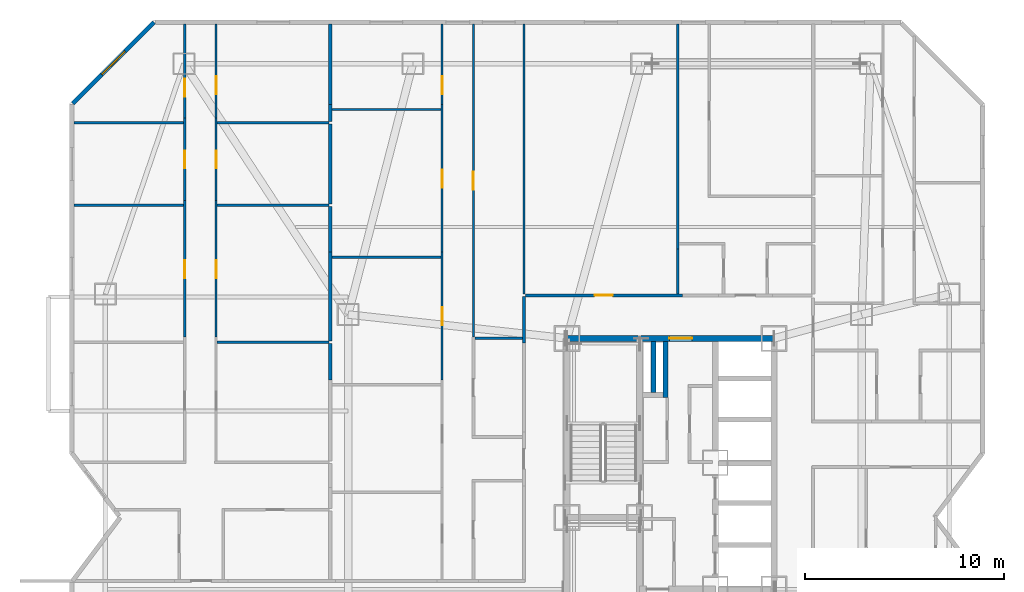
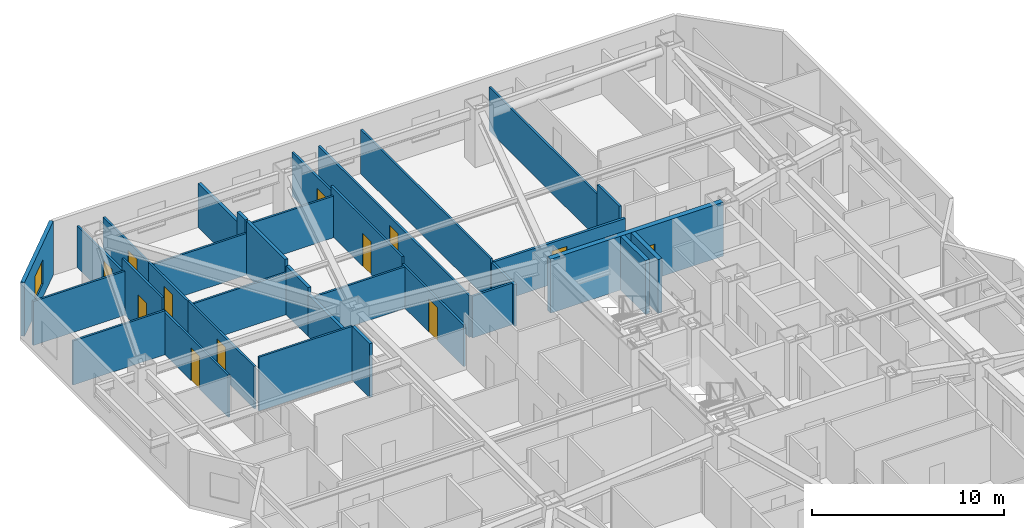
# One storey, part 11 of 14: 33 walls, 12 doors, 1 window, 13 openings.
"""IFC4 building model written with IfcOpenShell, lengths in metres."""

from ifc_helpers import new_model, si_unit, direction, frame, frame_2d, origin, place, context, subcontext, project, spatial, rectangle, extrude, material, layer, layer_set, type_object, element, fill, save


model = new_model("IFC4")

# Units and contexts
model_context = context("Model", 3, precision=1e-05, world=origin(), true_north=direction((0.0, 1.0)))
body_context = subcontext(model_context, "Body", "Model", "MODEL_VIEW")
ifc_project = project(units=[si_unit("LENGTHUNIT", "METRE"), si_unit("AREAUNIT", "SQUARE_METRE"), si_unit("VOLUMEUNIT", "CUBIC_METRE"), si_unit("PLANEANGLEUNIT", "RADIAN"), si_unit("MASSUNIT", "GRAM", prefix="KILO")], contexts=[model_context])

# Site, building, storey
site_placement = place(None, origin())
site = spatial("IfcSite", under=ifc_project, at=site_placement, CompositionType="ELEMENT")
building_placement = place(site_placement, origin())
building = spatial("IfcBuilding", under=site, at=building_placement, Name="Khamvora Tower", CompositionType="ELEMENT")
storey_placement = place(building_placement, frame((0.0, 0.0, 51.550048828125)))
storey = spatial("IfcBuildingStorey", under=building, at=storey_placement, Name="L12", CompositionType="ELEMENT", Elevation=51.550048828125)

# Wall, opening, door
ifc_material_1 = material(Name="Concrete C50/60", Category="concrete")
ifc_layer_1 = layer(ifc_material_1, 0.300048828125)
ifc_layer_set_1 = layer_set([ifc_layer_1], Name="Concrete C50/60")
wall_type_1 = type_object("IfcWallType", Name="WAL-CORE-300", PredefinedType="SHEAR", material=ifc_layer_set_1)
wall_1_placement = place(storey_placement, frame((29.0, 37.0, 0.0), z_axis=(0.0, 0.0, 1.0), x_axis=(1.0, 0.0, 0.0)))
wall_1 = element("IfcWall", 1, at=wall_1_placement, inside=storey, type_object=wall_type_1, Name="L12 central core north wall", PredefinedType="SHEAR", context=body_context, shape_type="SweptSolid", body=[
    extrude(rectangle(XDim=10.39990234375, YDim=0.300048828125, at=frame_2d((5.199951171875, 0.0))), origin(), (0.0, 0.0, 1.0), 3.429931640625),
])
opening_1_placement = place(wall_1_placement, frame((5.139892578125, 0.0, 0.0)))
opening_1 = element("IfcOpeningElement", 2, at=opening_1_placement, cuts=wall_1, Name="Opening D-SC1", PredefinedType="OPENING", context=body_context, shape_type="SweptSolid", body=[
    extrude(rectangle(XDim=1.14990234375, YDim=2.199951171875, at=frame_2d((0.574951171875, 1.10009765625))), frame((0.0, 0.159912109375, 0.0), z_axis=(0.0, -1.0, 0.0), x_axis=(1.0, 0.0, 0.0)), (0.0, 0.0, 1.0), 0.320068359375),
])
ifc_material_2 = material(Name="Powder-Coated Steel and Hardwood Leaf", Category="steel")
door_type_1 = type_object("IfcDoorType", Name="DOR-SCHL-1150", OperationType="NOTDEFINED", PredefinedType="DOOR", material=ifc_material_2)
door_1_placement = place(opening_1_placement, origin())
door_1 = element("IfcDoor", 3, at=door_1_placement, inside=storey, type_object=door_type_1, Name="L12 north core lobby to corridor fire door", OperationType="SINGLE_SWING_LEFT", OverallHeight=2.199951171875, OverallWidth=1.14990234375, PredefinedType="DOOR", context=body_context, shape_type="SweptSolid", body=[
    extrude(rectangle(XDim=1.14990234375, YDim=2.199951171875, at=frame_2d((0.574951171875, 1.10009765625))), frame((0.0, 0.02490234375, 0.0), z_axis=(0.0, -1.0, 0.0), x_axis=(1.0, 0.0, 0.0)), (0.0, 0.0, 1.0), 0.050048828125),
])
fill(opening_1, door_1)

ifc_material_3 = material(Name="Fire-Rated Drywall and Steel Stud", Category="steel")
ifc_layer_2 = layer(ifc_material_3, 0.14990234375)
ifc_layer_set_2 = layer_set([ifc_layer_2], Name="Fire-Rated Drywall and Steel Stud")
wall_type_2 = type_object("IfcWallType", Name="WAL-CORR-150", PredefinedType="STANDARD", material=ifc_layer_set_2)
wall_2_placement = place(storey_placement, frame((26.89990234375, 39.1650390625, 0.0), z_axis=(0.0, 0.0, 1.0), x_axis=(1.0, 0.0, 0.0)))
wall_2 = element("IfcWall", 4, at=wall_2_placement, inside=storey, type_object=wall_type_2, Name="L12 interior partition wall 008", PredefinedType="STANDARD", context=body_context, shape_type="SweptSolid", body=[
    extrude(rectangle(XDim=7.9140625, YDim=0.14990234375, at=frame_2d((3.95703125, 0.0))), origin(), (0.0, 0.0, 1.0), 2.64697265625),
])
opening_2_placement = place(wall_2_placement, frame((3.486083984375, 0.0, 0.0)))
opening_2 = element("IfcOpeningElement", 5, at=opening_2_placement, cuts=wall_2, Name="Opening D-RM1", PredefinedType="OPENING", context=body_context, shape_type="SweptSolid", body=[
    extrude(rectangle(XDim=0.89990234375, YDim=2.10009765625, at=frame_2d((0.449951171875, 1.050048828125))), frame((0.0, 0.0849609375, 0.0), z_axis=(0.0, -1.0, 0.0), x_axis=(1.0, 0.0, 0.0)), (0.0, 0.0, 1.0), 0.169921875),
])
door_type_2 = type_object("IfcDoorType", Name="DOR-ROOM-900", OperationType="NOTDEFINED", PredefinedType="DOOR", material=ifc_material_2)
door_2_placement = place(opening_2_placement, origin())
door_2 = element("IfcDoor", 6, at=door_2_placement, inside=storey, type_object=door_type_2, Name="L12 interior door COR-RPLY", OperationType="SINGLE_SWING_LEFT", OverallHeight=2.10009765625, OverallWidth=0.89990234375, PredefinedType="DOOR", context=body_context, shape_type="SweptSolid", body=[
    extrude(rectangle(XDim=0.89990234375, YDim=2.10009765625, at=frame_2d((0.449951171875, 1.050048828125))), frame((0.0, 0.02490234375, 0.0), z_axis=(0.0, -1.0, 0.0), x_axis=(1.0, 0.0, 0.0)), (0.0, 0.0, 1.0), 0.050048828125),
])
fill(opening_2, door_2)

# Walls
wall_3_placement = place(storey_placement, frame((26.8349609375, 36.757080078125, 0.0), z_axis=(0.0, 0.0, 1.0), x_axis=(0.0, 1.0, 0.0)))
element("IfcWall", 7, at=wall_3_placement, inside=storey, type_object=wall_type_2, Name="L12 interior partition wall 021", PredefinedType="STANDARD", context=body_context, shape_type="SweptSolid", body=[
    extrude(rectangle(XDim=2.343017578125, YDim=0.14990234375, at=frame_2d((1.17138671875, 0.0))), origin(), (0.0, 0.0, 1.0), 2.64697265625),
])
ifc_material_4 = material(Name="Acoustic Double-Stud Fire Wall", Category="gypsum")
ifc_layer_3 = layer(ifc_material_4, 0.179931640625)
ifc_layer_set_3 = layer_set([ifc_layer_3], Name="Acoustic Double-Stud Fire Wall")
wall_type_3 = type_object("IfcWallType", Name="WAL-CORR-180", PredefinedType="STANDARD", material=ifc_layer_set_3)
wall_4_placement = place(storey_placement, frame((17.10498046875, 36.742919921875, 0.0), z_axis=(0.0, 0.0, 1.0), x_axis=(0.0, -1.0, 0.0)))
element("IfcWall", 8, at=wall_4_placement, inside=storey, type_object=wall_type_3, Name="L12 interior partition wall 104", PredefinedType="STANDARD", context=body_context, shape_type="SweptSolid", body=[
    extrude(rectangle(XDim=1.823974609375, YDim=0.179931640625, at=frame_2d((0.912109375, 0.0))), origin(), (0.0, 0.0, 1.0), 3.429931640625),
])
wall_5_placement = place(storey_placement, frame((17.10498046875, 41.3291015625, 0.0), z_axis=(0.0, 0.0, 1.0), x_axis=(0.0, -1.0, 0.0)))
element("IfcWall", 9, at=wall_5_placement, inside=storey, type_object=wall_type_3, Name="L12 interior partition wall 106", PredefinedType="STANDARD", context=body_context, shape_type="SweptSolid", body=[
    extrude(rectangle(XDim=4.4560546875, YDim=0.179931640625, at=frame_2d((2.22802734375, 0.0))), origin(), (0.0, 0.0, 1.0), 2.64697265625),
])
wall_6_placement = place(storey_placement, frame((17.10498046875, 43.6240234375, 0.0), z_axis=(0.0, 0.0, 1.0), x_axis=(0.0, -1.0, 0.0)))
element("IfcWall", 10, at=wall_6_placement, inside=storey, type_object=wall_type_3, Name="L12 interior partition wall 107", PredefinedType="STANDARD", context=body_context, shape_type="SweptSolid", body=[
    extrude(rectangle(XDim=2.294921875, YDim=0.179931640625, at=frame_2d((1.1474609375, 0.0))), origin(), (0.0, 0.0, 1.0), 3.10693359375),
])
wall_7_placement = place(storey_placement, frame((17.10498046875, 47.76806640625, 0.0), z_axis=(0.0, 0.0, 1.0), x_axis=(0.0, -1.0, 0.0)))
element("IfcWall", 11, at=wall_7_placement, inside=storey, type_object=wall_type_3, Name="L12 interior partition wall 109", PredefinedType="STANDARD", context=body_context, shape_type="SweptSolid", body=[
    extrude(rectangle(XDim=4.01416015625, YDim=0.179931640625, at=frame_2d((2.007080078125, 0.0))), origin(), (0.0, 0.0, 1.0), 3.429931640625),
])
wall_8_placement = place(storey_placement, frame((17.10498046875, 48.7490234375, 0.0), z_axis=(0.0, 0.0, 1.0), x_axis=(0.0, -1.0, 0.0)))
element("IfcWall", 12, at=wall_8_placement, inside=storey, type_object=wall_type_3, Name="L12 interior partition wall 110", PredefinedType="STANDARD", context=body_context, shape_type="SweptSolid", body=[
    extrude(rectangle(XDim=0.85107421875, YDim=0.179931640625, at=frame_2d((0.425537109375, 0.0))), origin(), (0.0, 0.0, 1.0), 3.429931640625),
])
wall_9_placement = place(storey_placement, frame((17.10498046875, 52.7880859375, 0.0), z_axis=(0.0, 0.0, 1.0), x_axis=(0.0, -1.0, 0.0)))
element("IfcWall", 13, at=wall_9_placement, inside=storey, type_object=wall_type_3, Name="L12 interior partition wall 111", PredefinedType="STANDARD", context=body_context, shape_type="SweptSolid", body=[
    extrude(rectangle(XDim=4.0390625, YDim=0.179931640625, at=frame_2d((2.01953125, 0.0))), origin(), (0.0, 0.0, 1.0), 2.802978515625),
])

# Wall, opening, window
ifc_material_5 = material(Name="Precast concrete C40/50", Category="concrete")
ifc_layer_4 = layer(ifc_material_5, 0.219970703125)
ifc_layer_set_4 = layer_set([ifc_layer_4], Name="Precast concrete C40/50")
wall_type_4 = type_object("IfcWallType", Name="WAL-EXT-220", PredefinedType="STANDARD", material=ifc_layer_set_4)
wall_10_placement = place(storey_placement, frame((4.157958984375, 48.802001953125, 0.0), z_axis=(0.0, 0.0, 1.0), x_axis=(0.70712789547, 0.707085666273, 0.0)))
wall_10 = element("IfcWall", 14, at=wall_10_placement, inside=storey, type_object=wall_type_4, Name="L12 exterior facade wall 06.1", PredefinedType="STANDARD", context=body_context, shape_type="SweptSolid", body=[
    extrude(rectangle(XDim=5.78125, YDim=0.219970703125, at=frame_2d((2.890625, 0.0))), origin(), (0.0, 0.0, 1.0), 3.429931640625),
])
opening_3_placement = place(wall_10_placement, frame((2.06591796875, 0.0, 0.85009765625)))
opening_3 = element("IfcOpeningElement", 15, at=opening_3_placement, cuts=wall_10, Name="Opening WN-06", PredefinedType="OPENING", context=body_context, shape_type="SweptSolid", body=[
    extrude(rectangle(XDim=1.64990234375, YDim=1.550048828125, at=frame_2d((0.824951171875, 0.77490234375))), frame((0.0, 0.119873046875, 0.0), z_axis=(0.0, -1.0, 0.0), x_axis=(1.0, 0.0, 0.0)), (0.0, 0.0, 1.0), 0.239990234375),
])
ifc_material_6 = material(Name="Low-E Laminated Double Glazing", Category="glass")
window_type = type_object("IfcWindowType", Name="WIN-VIS-1650x1550", PartitioningType="SINGLE_PANEL", PredefinedType="WINDOW", material=ifc_material_6)
window_placement = place(opening_3_placement, origin())
window = element("IfcWindow", 16, at=window_placement, inside=storey, type_object=window_type, Name="L12 vision window 06.1.01", OverallHeight=1.550048828125, OverallWidth=1.64990234375, PartitioningType="SINGLE_PANEL", PredefinedType="WINDOW", context=body_context, shape_type="SweptSolid", body=[
    extrude(rectangle(XDim=1.64990234375, YDim=1.550048828125, at=frame_2d((0.824951171875, 0.77490234375))), frame((0.0, 0.030029296875, 0.0), z_axis=(0.0, -1.0, 0.0), x_axis=(1.0, 0.0, 0.0)), (0.0, 0.0, 1.0), 0.06005859375),
])
fill(opening_3, window)

# Walls
ifc_material_7 = material(Name="Gypsum Plasterboard Partition", Category="gypsum")
ifc_layer_5 = layer(ifc_material_7, 0.1201171875)
ifc_layer_set_5 = layer_set([ifc_layer_5], Name="Gypsum Plasterboard Partition")
wall_type_5 = type_object("IfcWallType", Name="WAL-PART-120", PredefinedType="PARTITIONING", material=ifc_layer_set_5)
wall_11_placement = place(storey_placement, frame((26.8349609375, 39.22998046875, 0.0), z_axis=(0.0, 0.0, 1.0), x_axis=(0.0, 1.0, 0.0)))
element("IfcWall", 17, at=wall_11_placement, inside=storey, type_object=wall_type_5, Name="L12 interior partition wall 045", PredefinedType="PARTITIONING", context=body_context, shape_type="SweptSolid", body=[
    extrude(rectangle(XDim=13.55810546875, YDim=0.1201171875, at=frame_2d((6.779052734375, 0.0))), origin(), (0.0, 0.0, 1.0), 2.802978515625),
])
wall_12_placement = place(storey_placement, frame((34.56494140625, 52.7880859375, 0.0), z_axis=(0.0, 0.0, 1.0), x_axis=(0.0, -1.0, 0.0)))
element("IfcWall", 18, at=wall_12_placement, inside=storey, type_object=wall_type_5, Name="L12 interior partition wall 046", PredefinedType="PARTITIONING", context=body_context, shape_type="SweptSolid", body=[
    extrude(rectangle(XDim=11.283203125, YDim=0.1201171875, at=frame_2d((5.6416015625, 0.0))), origin(), (0.0, 0.0, 1.0), 2.802978515625),
])

# Wall, opening, door
wall_13_placement = place(storey_placement, frame((9.7900390625, 37.05810546875, 0.0), z_axis=(0.0, 0.0, 1.0), x_axis=(0.0, 1.0, 0.0)))
wall_13 = element("IfcWall", 19, at=wall_13_placement, inside=storey, type_object=wall_type_5, Name="L12 interior partition wall 088", PredefinedType="PARTITIONING", context=body_context, shape_type="SweptSolid", body=[
    extrude(rectangle(XDim=6.8798828125, YDim=0.1201171875, at=frame_2d((3.43994140625, 0.0))), origin(), (0.0, 0.0, 1.0), 2.68701171875),
])
opening_4_placement = place(wall_13_placement, frame((2.968994140625, 0.0, 0.0)))
opening_4 = element("IfcOpeningElement", 20, at=opening_4_placement, cuts=wall_13, Name="Opening D-RM1", PredefinedType="OPENING", context=body_context, shape_type="SweptSolid", body=[
    extrude(rectangle(XDim=0.89990234375, YDim=2.10009765625, at=frame_2d((0.449951171875, 1.050048828125))), frame((0.0, 0.070068359375, 0.0), z_axis=(0.0, -1.0, 0.0), x_axis=(1.0, 0.0, 0.0)), (0.0, 0.0, 1.0), 0.14013671875),
])
door_3_placement = place(opening_4_placement, origin())
door_3 = element("IfcDoor", 21, at=door_3_placement, inside=storey, type_object=door_type_2, Name="L12 interior door 12WBH-12WBR2", OperationType="SINGLE_SWING_RIGHT", OverallHeight=2.10009765625, OverallWidth=0.89990234375, PredefinedType="DOOR", context=body_context, shape_type="SweptSolid", body=[
    extrude(rectangle(XDim=0.89990234375, YDim=2.10009765625, at=frame_2d((0.449951171875, 1.050048828125))), frame((0.0, 0.02490234375, 0.0), z_axis=(0.0, -1.0, 0.0), x_axis=(1.0, 0.0, 0.0)), (0.0, 0.0, 1.0), 0.050048828125),
])
fill(opening_4, door_3)

wall_14_placement = place(storey_placement, frame((9.7900390625, 43.93798828125, 0.0), z_axis=(0.0, 0.0, 1.0), x_axis=(0.0, 1.0, 0.0)))
wall_14 = element("IfcWall", 22, at=wall_14_placement, inside=storey, type_object=wall_type_5, Name="L12 interior partition wall 089", PredefinedType="PARTITIONING", context=body_context, shape_type="SweptSolid", body=[
    extrude(rectangle(XDim=4.14501953125, YDim=0.1201171875, at=frame_2d((2.072509765625, 0.0))), origin(), (0.0, 0.0, 1.0), 3.429931640625),
])
opening_5_placement = place(wall_14_placement, frame((1.60107421875, 0.0, 0.0)))
opening_5 = element("IfcOpeningElement", 23, at=opening_5_placement, cuts=wall_14, Name="Opening D-RM1", PredefinedType="OPENING", context=body_context, shape_type="SweptSolid", body=[
    extrude(rectangle(XDim=0.89990234375, YDim=2.10009765625, at=frame_2d((0.449951171875, 1.050048828125))), frame((0.0, 0.070068359375, 0.0), z_axis=(0.0, -1.0, 0.0), x_axis=(1.0, 0.0, 0.0)), (0.0, 0.0, 1.0), 0.14013671875),
])
door_4_placement = place(opening_5_placement, origin())
door_4 = element("IfcDoor", 24, at=door_4_placement, inside=storey, type_object=door_type_2, Name="L12 interior door 12WBH-12WBR3", OperationType="SINGLE_SWING_LEFT", OverallHeight=2.10009765625, OverallWidth=0.89990234375, PredefinedType="DOOR", context=body_context, shape_type="SweptSolid", body=[
    extrude(rectangle(XDim=0.89990234375, YDim=2.10009765625, at=frame_2d((0.449951171875, 1.050048828125))), frame((0.0, 0.02490234375, 0.0), z_axis=(0.0, -1.0, 0.0), x_axis=(1.0, 0.0, 0.0)), (0.0, 0.0, 1.0), 0.050048828125),
])
fill(opening_5, door_4)

wall_15_placement = place(storey_placement, frame((9.7900390625, 48.0830078125, 0.0), z_axis=(0.0, 0.0, 1.0), x_axis=(0.0, 1.0, 0.0)))
wall_15 = element("IfcWall", 25, at=wall_15_placement, inside=storey, type_object=wall_type_5, Name="L12 interior partition wall 090", PredefinedType="PARTITIONING", context=body_context, shape_type="SweptSolid", body=[
    extrude(rectangle(XDim=4.705078125, YDim=0.1201171875, at=frame_2d((2.3525390625, 0.0))), origin(), (0.0, 0.0, 1.0), 2.64697265625),
])
opening_6_placement = place(wall_15_placement, frame((1.054931640625, 0.0, 0.0)))
opening_6 = element("IfcOpeningElement", 26, at=opening_6_placement, cuts=wall_15, Name="Opening D-RM1", PredefinedType="OPENING", context=body_context, shape_type="SweptSolid", body=[
    extrude(rectangle(XDim=0.89990234375, YDim=2.10009765625, at=frame_2d((0.449951171875, 1.050048828125))), frame((0.0, 0.070068359375, 0.0), z_axis=(0.0, -1.0, 0.0), x_axis=(1.0, 0.0, 0.0)), (0.0, 0.0, 1.0), 0.14013671875),
])
door_5_placement = place(opening_6_placement, origin())
door_5 = element("IfcDoor", 27, at=door_5_placement, inside=storey, type_object=door_type_2, Name="L12 interior door 12WBH-12WBR4", OperationType="SINGLE_SWING_LEFT", OverallHeight=2.10009765625, OverallWidth=0.89990234375, PredefinedType="DOOR", context=body_context, shape_type="SweptSolid", body=[
    extrude(rectangle(XDim=0.89990234375, YDim=2.10009765625, at=frame_2d((0.449951171875, 1.050048828125))), frame((0.0, 0.02490234375, 0.0), z_axis=(0.0, -1.0, 0.0), x_axis=(1.0, 0.0, 0.0)), (0.0, 0.0, 1.0), 0.050048828125),
])
fill(opening_6, door_5)

wall_16_placement = place(storey_placement, frame((11.360107421875, 43.93798828125, 0.0), z_axis=(0.0, 0.0, 1.0), x_axis=(0.0, -1.0, 0.0)))
wall_16 = element("IfcWall", 28, at=wall_16_placement, inside=storey, type_object=wall_type_5, Name="L12 interior partition wall 093", PredefinedType="PARTITIONING", context=body_context, shape_type="SweptSolid", body=[
    extrude(rectangle(XDim=6.8798828125, YDim=0.1201171875, at=frame_2d((3.43994140625, 0.0))), origin(), (0.0, 0.0, 1.0), 2.68701171875),
])
opening_7_placement = place(wall_16_placement, frame((3.010986328125, 0.0, 0.0)))
opening_7 = element("IfcOpeningElement", 29, at=opening_7_placement, cuts=wall_16, Name="Opening D-RM1", PredefinedType="OPENING", context=body_context, shape_type="SweptSolid", body=[
    extrude(rectangle(XDim=0.89990234375, YDim=2.10009765625, at=frame_2d((0.449951171875, 1.050048828125))), frame((0.0, 0.070068359375, 0.0), z_axis=(0.0, -1.0, 0.0), x_axis=(1.0, 0.0, 0.0)), (0.0, 0.0, 1.0), 0.14013671875),
])
door_6_placement = place(opening_7_placement, origin())
door_6 = element("IfcDoor", 30, at=door_6_placement, inside=storey, type_object=door_type_2, Name="L12 interior door 12WBH-12WBR6", OperationType="SINGLE_SWING_LEFT", OverallHeight=2.10009765625, OverallWidth=0.89990234375, PredefinedType="DOOR", context=body_context, shape_type="SweptSolid", body=[
    extrude(rectangle(XDim=0.89990234375, YDim=2.10009765625, at=frame_2d((0.449951171875, 1.050048828125))), frame((0.0, 0.02490234375, 0.0), z_axis=(0.0, -1.0, 0.0), x_axis=(1.0, 0.0, 0.0)), (0.0, 0.0, 1.0), 0.050048828125),
])
fill(opening_7, door_6)

wall_17_placement = place(storey_placement, frame((11.360107421875, 48.0830078125, 0.0), z_axis=(0.0, 0.0, 1.0), x_axis=(0.0, -1.0, 0.0)))
wall_17 = element("IfcWall", 31, at=wall_17_placement, inside=storey, type_object=wall_type_5, Name="L12 interior partition wall 094", PredefinedType="PARTITIONING", context=body_context, shape_type="SweptSolid", body=[
    extrude(rectangle(XDim=4.14501953125, YDim=0.1201171875, at=frame_2d((2.072509765625, 0.0))), origin(), (0.0, 0.0, 1.0), 2.64697265625),
])
opening_8_placement = place(wall_17_placement, frame((1.64404296875, 0.0, 0.0)))
opening_8 = element("IfcOpeningElement", 32, at=opening_8_placement, cuts=wall_17, Name="Opening D-RM1", PredefinedType="OPENING", context=body_context, shape_type="SweptSolid", body=[
    extrude(rectangle(XDim=0.89990234375, YDim=2.10009765625, at=frame_2d((0.449951171875, 1.050048828125))), frame((0.0, 0.070068359375, 0.0), z_axis=(0.0, -1.0, 0.0), x_axis=(1.0, 0.0, 0.0)), (0.0, 0.0, 1.0), 0.14013671875),
])
door_7_placement = place(opening_8_placement, origin())
door_7 = element("IfcDoor", 33, at=door_7_placement, inside=storey, type_object=door_type_2, Name="L12 interior door 12WBH-12WBR7", OperationType="SINGLE_SWING_RIGHT", OverallHeight=2.10009765625, OverallWidth=0.89990234375, PredefinedType="DOOR", context=body_context, shape_type="SweptSolid", body=[
    extrude(rectangle(XDim=0.89990234375, YDim=2.10009765625, at=frame_2d((0.449951171875, 1.050048828125))), frame((0.0, 0.02490234375, 0.0), z_axis=(0.0, -1.0, 0.0), x_axis=(1.0, 0.0, 0.0)), (0.0, 0.0, 1.0), 0.050048828125),
])
fill(opening_8, door_7)

wall_18_placement = place(storey_placement, frame((11.360107421875, 52.7880859375, 0.0), z_axis=(0.0, 0.0, 1.0), x_axis=(0.0, -1.0, 0.0)))
wall_18 = element("IfcWall", 34, at=wall_18_placement, inside=storey, type_object=wall_type_5, Name="L12 interior partition wall 095", PredefinedType="PARTITIONING", context=body_context, shape_type="SweptSolid", body=[
    extrude(rectangle(XDim=4.705078125, YDim=0.1201171875, at=frame_2d((2.3525390625, 0.0))), origin(), (0.0, 0.0, 1.0), 2.64697265625),
])
opening_9_placement = place(wall_18_placement, frame((2.60888671875, 0.0, 0.0)))
opening_9 = element("IfcOpeningElement", 35, at=opening_9_placement, cuts=wall_18, Name="Opening D-RM1", PredefinedType="OPENING", context=body_context, shape_type="SweptSolid", body=[
    extrude(rectangle(XDim=0.89990234375, YDim=2.10009765625, at=frame_2d((0.449951171875, 1.050048828125))), frame((0.0, 0.070068359375, 0.0), z_axis=(0.0, -1.0, 0.0), x_axis=(1.0, 0.0, 0.0)), (0.0, 0.0, 1.0), 0.14013671875),
])
door_8_placement = place(opening_9_placement, origin())
door_8 = element("IfcDoor", 36, at=door_8_placement, inside=storey, type_object=door_type_2, Name="L12 interior door 12WBH-12WBR8", OperationType="SINGLE_SWING_LEFT", OverallHeight=2.10009765625, OverallWidth=0.89990234375, PredefinedType="DOOR", context=body_context, shape_type="SweptSolid", body=[
    extrude(rectangle(XDim=0.89990234375, YDim=2.10009765625, at=frame_2d((0.449951171875, 1.050048828125))), frame((0.0, 0.02490234375, 0.0), z_axis=(0.0, -1.0, 0.0), x_axis=(1.0, 0.0, 0.0)), (0.0, 0.0, 1.0), 0.050048828125),
])
fill(opening_9, door_8)

# Walls
for number, where, z_axis, x_axis, name in (
    (37, (4.2119140625, 43.68896484375, 0.0), (0.0, 0.0, 1.0), (1.0, 0.0, 0.0), "L12 interior partition wall 100"),
    (38, (4.2119140625, 47.8330078125, 0.0), (0.0, 0.0, 1.0), (1.0, 0.0, 0.0), "L12 interior partition wall 101"),
):
    element("IfcWall", number, at=place(storey_placement, frame(where, z_axis=z_axis, x_axis=x_axis)), inside=storey, type_object=wall_type_5, Name=name, PredefinedType="PARTITIONING", context=body_context, shape_type="SweptSolid", body=[
        extrude(rectangle(XDim=5.524169921875, YDim=0.1201171875, at=frame_2d((2.76220703125, 0.0))), origin(), (0.0, 0.0, 1.0), 2.802978515625),
    ])
wall_19_placement = place(storey_placement, frame((11.4140625, 36.80810546875, 0.0), z_axis=(0.0, 0.0, 1.0), x_axis=(1.0, 0.0, 0.0)))
element("IfcWall", 39, at=wall_19_placement, inside=storey, type_object=wall_type_5, Name="L12 interior partition wall 102", PredefinedType="PARTITIONING", context=body_context, shape_type="SweptSolid", body=[
    extrude(rectangle(XDim=5.6259765625, YDim=0.1201171875, at=frame_2d((2.81298828125, 0.0))), origin(), (0.0, 0.0, 1.0), 3.429931640625),
])
for number, where, z_axis, x_axis, name in (
    (40, (11.4140625, 43.68896484375, 0.0), (0.0, 0.0, 1.0), (1.0, 0.0, 0.0), "L12 interior partition wall 105"),
    (41, (11.4140625, 47.8330078125, 0.0), (0.0, 0.0, 1.0), (1.0, 0.0, 0.0), "L12 interior partition wall 108"),
):
    element("IfcWall", number, at=place(storey_placement, frame(where, z_axis=z_axis, x_axis=x_axis)), inside=storey, type_object=wall_type_5, Name=name, PredefinedType="PARTITIONING", context=body_context, shape_type="SweptSolid", body=[
        extrude(rectangle(XDim=5.6259765625, YDim=0.1201171875, at=frame_2d((2.81298828125, 0.0))), origin(), (0.0, 0.0, 1.0), 2.64697265625),
    ])

# Wall, opening, door
wall_20_placement = place(storey_placement, frame((24.297119140625, 37.071044921875, 0.0), z_axis=(0.0, 0.0, 1.0), x_axis=(0.0, 1.0, 0.0)))
wall_20 = element("IfcWall", 42, at=wall_20_placement, inside=storey, type_object=wall_type_5, Name="L12 interior partition wall 112", PredefinedType="PARTITIONING", context=body_context, shape_type="SweptSolid", body=[
    extrude(rectangle(XDim=15.717041015625, YDim=0.1201171875, at=frame_2d((7.8583984375, 0.0))), origin(), (0.0, 0.0, 1.0), 2.64697265625),
])
opening_10_placement = place(wall_20_placement, frame((7.408935546875, 0.0, 0.0)))
opening_10 = element("IfcOpeningElement", 43, at=opening_10_placement, cuts=wall_20, Name="Opening D-RM1", PredefinedType="OPENING", context=body_context, shape_type="SweptSolid", body=[
    extrude(rectangle(XDim=0.89990234375, YDim=2.10009765625, at=frame_2d((0.449951171875, 1.050048828125))), frame((0.0, 0.070068359375, 0.0), z_axis=(0.0, -1.0, 0.0), x_axis=(1.0, 0.0, 0.0)), (0.0, 0.0, 1.0), 0.14013671875),
])
door_9_placement = place(opening_10_placement, origin())
door_9 = element("IfcDoor", 44, at=door_9_placement, inside=storey, type_object=door_type_2, Name="L12 interior door 12WCW2-12WCH", OperationType="SINGLE_SWING_RIGHT", OverallHeight=2.10009765625, OverallWidth=0.89990234375, PredefinedType="DOOR", context=body_context, shape_type="SweptSolid", body=[
    extrude(rectangle(XDim=0.89990234375, YDim=2.10009765625, at=frame_2d((0.449951171875, 1.050048828125))), frame((0.0, 0.02490234375, 0.0), z_axis=(0.0, -1.0, 0.0), x_axis=(1.0, 0.0, 0.0)), (0.0, 0.0, 1.0), 0.050048828125),
])
fill(opening_10, door_9)

wall_21_placement = place(storey_placement, frame((22.717041015625, 34.9189453125, 0.0), z_axis=(0.0, 0.0, 1.0), x_axis=(0.0, 1.0, 0.0)))
wall_21 = element("IfcWall", 45, at=wall_21_placement, inside=storey, type_object=wall_type_5, Name="L12 interior partition wall 120", PredefinedType="PARTITIONING", context=body_context, shape_type="SweptSolid", body=[
    extrude(rectangle(XDim=6.41015625, YDim=0.1201171875, at=frame_2d((3.205078125, 0.0))), origin(), (0.0, 0.0, 1.0), 2.64697265625),
])
opening_11_placement = place(wall_21_placement, frame((2.73388671875, 0.0, 0.0)))
opening_11 = element("IfcOpeningElement", 46, at=opening_11_placement, cuts=wall_21, Name="Opening D-RM1", PredefinedType="OPENING", context=body_context, shape_type="SweptSolid", body=[
    extrude(rectangle(XDim=0.89990234375, YDim=2.10009765625, at=frame_2d((0.449951171875, 1.050048828125))), frame((0.0, 0.070068359375, 0.0), z_axis=(0.0, -1.0, 0.0), x_axis=(1.0, 0.0, 0.0)), (0.0, 0.0, 1.0), 0.14013671875),
])
door_10_placement = place(opening_11_placement, origin())
door_10 = element("IfcDoor", 47, at=door_10_placement, inside=storey, type_object=door_type_2, Name="L12 interior door 12WCH-12WCR3", OperationType="SINGLE_SWING_LEFT", OverallHeight=2.10009765625, OverallWidth=0.89990234375, PredefinedType="DOOR", context=body_context, shape_type="SweptSolid", body=[
    extrude(rectangle(XDim=0.89990234375, YDim=2.10009765625, at=frame_2d((0.449951171875, 1.050048828125))), frame((0.0, 0.02490234375, 0.0), z_axis=(0.0, -1.0, 0.0), x_axis=(1.0, 0.0, 0.0)), (0.0, 0.0, 1.0), 0.050048828125),
])
fill(opening_11, door_10)

wall_22_placement = place(storey_placement, frame((22.717041015625, 41.3291015625, 0.0), z_axis=(0.0, 0.0, 1.0), x_axis=(0.0, 1.0, 0.0)))
wall_22 = element("IfcWall", 48, at=wall_22_placement, inside=storey, type_object=wall_type_5, Name="L12 interior partition wall 121", PredefinedType="PARTITIONING", context=body_context, shape_type="SweptSolid", body=[
    extrude(rectangle(XDim=7.419921875, YDim=0.1201171875, at=frame_2d((3.7099609375, 0.0))), origin(), (0.0, 0.0, 1.0), 3.10693359375),
])
opening_12_placement = place(wall_22_placement, frame((3.239013671875, 0.0, 0.0)))
opening_12 = element("IfcOpeningElement", 49, at=opening_12_placement, cuts=wall_22, Name="Opening D-RM1", PredefinedType="OPENING", context=body_context, shape_type="SweptSolid", body=[
    extrude(rectangle(XDim=0.89990234375, YDim=2.10009765625, at=frame_2d((0.449951171875, 1.050048828125))), frame((0.0, 0.070068359375, 0.0), z_axis=(0.0, -1.0, 0.0), x_axis=(1.0, 0.0, 0.0)), (0.0, 0.0, 1.0), 0.14013671875),
])
door_11_placement = place(opening_12_placement, origin())
door_11 = element("IfcDoor", 50, at=door_11_placement, inside=storey, type_object=door_type_2, Name="L12 interior door 12WCH-12WCR4", OperationType="SINGLE_SWING_RIGHT", OverallHeight=2.10009765625, OverallWidth=0.89990234375, PredefinedType="DOOR", context=body_context, shape_type="SweptSolid", body=[
    extrude(rectangle(XDim=0.89990234375, YDim=2.10009765625, at=frame_2d((0.449951171875, 1.050048828125))), frame((0.0, 0.02490234375, 0.0), z_axis=(0.0, -1.0, 0.0), x_axis=(1.0, 0.0, 0.0)), (0.0, 0.0, 1.0), 0.050048828125),
])
fill(opening_12, door_11)

wall_23_placement = place(storey_placement, frame((22.717041015625, 48.7490234375, 0.0), z_axis=(0.0, 0.0, 1.0), x_axis=(0.0, 1.0, 0.0)))
wall_23 = element("IfcWall", 51, at=wall_23_placement, inside=storey, type_object=wall_type_5, Name="L12 interior partition wall 122", PredefinedType="PARTITIONING", context=body_context, shape_type="SweptSolid", body=[
    extrude(rectangle(XDim=4.0390625, YDim=0.1201171875, at=frame_2d((2.01953125, 0.0))), origin(), (0.0, 0.0, 1.0), 2.802978515625),
])
opening_13_placement = place(wall_23_placement, frame((0.528076171875, 0.0, 0.0)))
opening_13 = element("IfcOpeningElement", 52, at=opening_13_placement, cuts=wall_23, Name="Opening D-RM1", PredefinedType="OPENING", context=body_context, shape_type="SweptSolid", body=[
    extrude(rectangle(XDim=0.89990234375, YDim=2.10009765625, at=frame_2d((0.449951171875, 1.050048828125))), frame((0.0, 0.070068359375, 0.0), z_axis=(0.0, -1.0, 0.0), x_axis=(1.0, 0.0, 0.0)), (0.0, 0.0, 1.0), 0.14013671875),
])
door_12_placement = place(opening_13_placement, origin())
door_12 = element("IfcDoor", 53, at=door_12_placement, inside=storey, type_object=door_type_2, Name="L12 interior door 12WCH-12WCR5", OperationType="SINGLE_SWING_LEFT", OverallHeight=2.10009765625, OverallWidth=0.89990234375, PredefinedType="DOOR", context=body_context, shape_type="SweptSolid", body=[
    extrude(rectangle(XDim=0.89990234375, YDim=2.10009765625, at=frame_2d((0.449951171875, 1.050048828125))), frame((0.0, 0.02490234375, 0.0), z_axis=(0.0, -1.0, 0.0), x_axis=(1.0, 0.0, 0.0)), (0.0, 0.0, 1.0), 0.050048828125),
])
fill(opening_13, door_12)

# Walls
for number, where, z_axis, x_axis, name in (
    (54, (17.18701171875, 41.080078125, 0.0), (0.0, 0.0, 1.0), (1.0, 0.0, 0.0), "L12 interior partition wall 125"),
    (55, (17.18701171875, 48.5, 0.0), (0.0, 0.0, 1.0), (1.0, 0.0, 0.0), "L12 interior partition wall 126"),
):
    element("IfcWall", number, at=place(storey_placement, frame(where, z_axis=z_axis, x_axis=x_axis)), inside=storey, type_object=wall_type_5, Name=name, PredefinedType="PARTITIONING", context=body_context, shape_type="SweptSolid", body=[
        extrude(rectangle(XDim=5.47607421875, YDim=0.1201171875, at=frame_2d((2.738037109375, 0.0))), origin(), (0.0, 0.0, 1.0), 2.64697265625),
    ])
ifc_material_8 = material(Name="Concrete C40/50", Category="concrete")
ifc_layer_6 = layer(ifc_material_8, 0.25)
ifc_layer_set_6 = layer_set([ifc_layer_6], Name="Concrete C40/50")
wall_type_6 = type_object("IfcWallType", Name="WAL-PODS-250", PredefinedType="SHEAR", material=ifc_layer_set_6)
wall_24_placement = place(storey_placement, frame((33.955078125, 34.02490234375, 0.0), z_axis=(0.0, 0.0, 1.0), x_axis=(0.0, 1.0, 0.0)))
element("IfcWall", 56, at=wall_24_placement, inside=storey, type_object=wall_type_6, Name="L12 vertical MEP riser shaft east enclosure wall", PredefinedType="SHEAR", context=body_context, shape_type="SweptSolid", body=[
    extrude(rectangle(XDim=2.821044921875, YDim=0.25, at=frame_2d((1.41064453125, 0.0))), origin(), (0.0, 0.0, 1.0), 3.429931640625),
])
wall_25_placement = place(storey_placement, frame((33.340087890625, 34.279052734375, 0.0), z_axis=(0.0, 0.0, 1.0), x_axis=(0.0, 1.0, 0.0)))
element("IfcWall", 57, at=wall_25_placement, inside=storey, type_object=wall_type_6, Name="L12 vertical MEP riser shaft divider enclosure wall", PredefinedType="SHEAR", context=body_context, shape_type="SweptSolid", body=[
    extrude(rectangle(XDim=2.56689453125, YDim=0.25, at=frame_2d((1.283447265625, 0.0))), origin(), (0.0, 0.0, 1.0), 3.429931640625),
])
ifc_material_9 = material(Name="Moisture-Resistant Plasterboard Partition", Category="gypsum")
ifc_layer_7 = layer(ifc_material_9, 0.135009765625)
ifc_layer_set_7 = layer_set([ifc_layer_7], Name="Moisture-Resistant Plasterboard Partition")
wall_type_7 = type_object("IfcWallType", Name="WAL-WET-135", PredefinedType="PARTITIONING", material=ifc_layer_set_7)
wall_26_placement = place(storey_placement, frame((34.56494140625, 41.5048828125, 0.0), z_axis=(0.0, 0.0, 1.0), x_axis=(0.0, -1.0, 0.0)))
element("IfcWall", 58, at=wall_26_placement, inside=storey, type_object=wall_type_7, Name="L12 interior partition wall 047", PredefinedType="PARTITIONING", context=body_context, shape_type="SweptSolid", body=[
    extrude(rectangle(XDim=2.27294921875, YDim=0.135009765625, at=frame_2d((1.136474609375, 0.0))), origin(), (0.0, 0.0, 1.0), 3.429931640625),
])
wall_27_placement = place(storey_placement, frame((26.77001953125, 37.006103515625, 0.0), z_axis=(0.0, 0.0, 1.0), x_axis=(-1.0, 0.0, 0.0)))
element("IfcWall", 59, at=wall_27_placement, inside=storey, type_object=wall_type_7, Name="L12 interior partition wall 113", PredefinedType="PARTITIONING", context=body_context, shape_type="SweptSolid", body=[
    extrude(rectangle(XDim=2.407958984375, YDim=0.135009765625, at=frame_2d((1.2041015625, 0.0))), origin(), (0.0, 0.0, 1.0), 2.64697265625),
])

save(model, "model.ifc")
